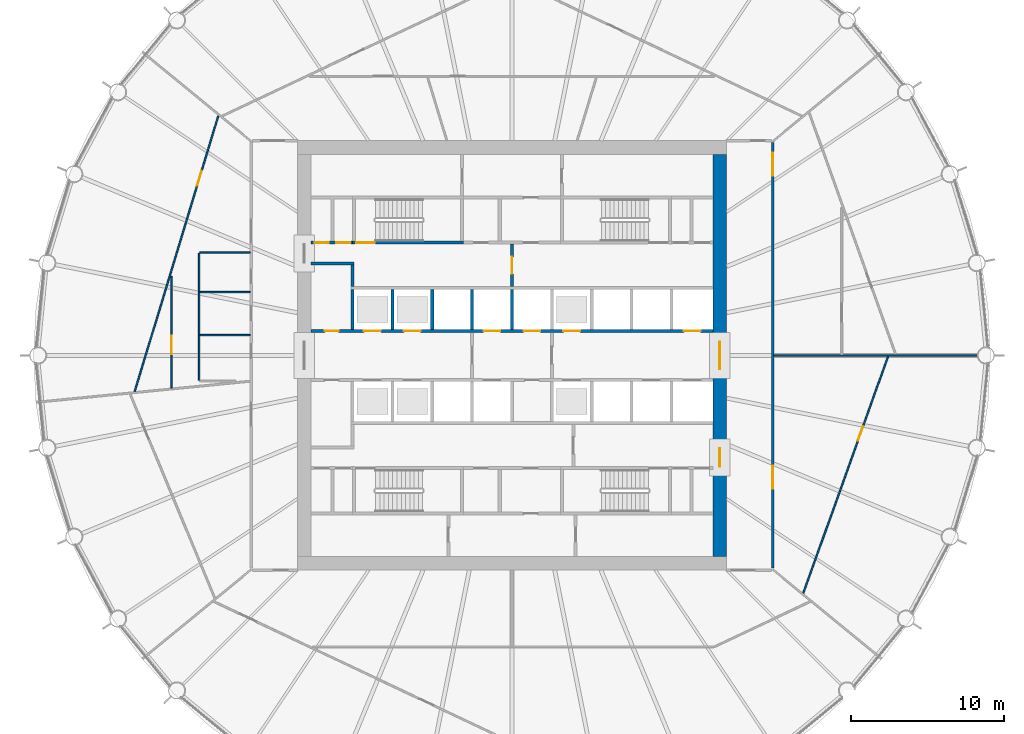
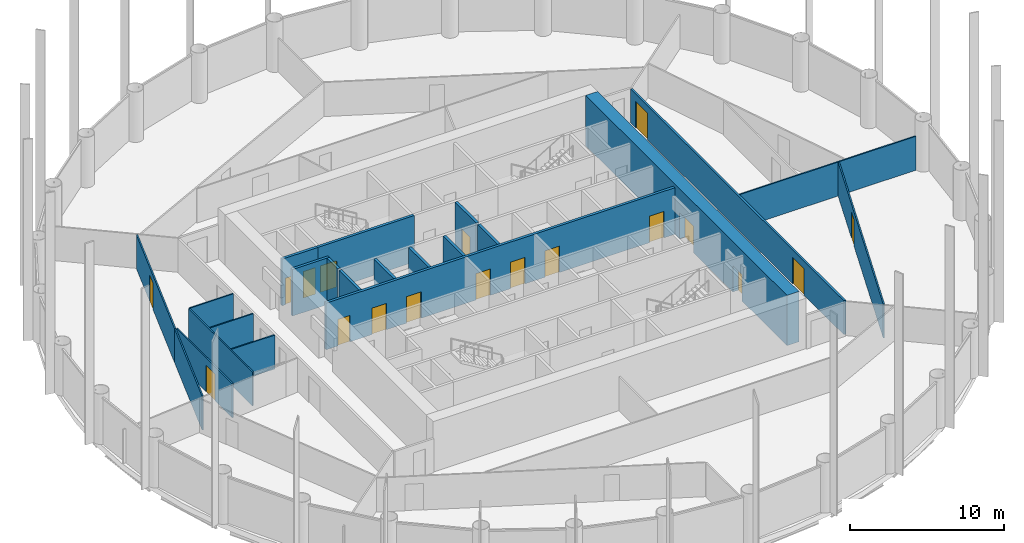
# One storey, part 6 of 10: 22 walls, 18 doors, 18 openings.
"""IFC4 building model written with IfcOpenShell, lengths in metres."""

from ifc_helpers import new_model, si_unit, direction, frame, frame_2d, origin, place, context, subcontext, project, spatial, polyline, rectangle, outline, extrude, material, layer, layer_set, type_object, element, fill, save


model = new_model("IFC4")

# Units and contexts
model_context = context("Model", 3, precision=1e-05, world=origin(), true_north=direction((0.0, 1.0)))
body_context = subcontext(model_context, "Body", "Model", "MODEL_VIEW")
ifc_project = project(units=[si_unit("LENGTHUNIT", "METRE"), si_unit("AREAUNIT", "SQUARE_METRE"), si_unit("VOLUMEUNIT", "CUBIC_METRE"), si_unit("PLANEANGLEUNIT", "RADIAN"), si_unit("MASSUNIT", "GRAM", prefix="KILO")], contexts=[model_context])

# Site, building, storey
site_placement = place(None, origin())
site = spatial("IfcSite", under=ifc_project, at=site_placement, CompositionType="ELEMENT")
building_placement = place(site_placement, origin())
building = spatial("IfcBuilding", under=site, at=building_placement, Name="Corvane Civic Tower", CompositionType="ELEMENT")
storey_placement = place(building_placement, frame((0.0, 0.0, 144.0)))
storey = spatial("IfcBuildingStorey", under=building, at=storey_placement, Name="L33", CompositionType="ELEMENT", Elevation=144.0)

# Wall, openings, doors
ifc_material_1 = material(Name="Concrete C60/75", Category="concrete")
ifc_layer_1 = layer(ifc_material_1, 0.89990234375)
ifc_layer_set_1 = layer_set([ifc_layer_1], Name="Concrete C60/75")
wall_type_1 = type_object("IfcWallType", Name="CORE WALL 900 C60/75", PredefinedType="SHEAR", material=ifc_layer_set_1)
wall_1_placement = place(storey_placement, frame((13.550048828125, -13.10009765625, 0.0), z_axis=(0.0, 0.0, 1.0), x_axis=(0.0, 1.0, 0.0)))
wall_1 = element("IfcWall", 1, at=wall_1_placement, inside=storey, type_object=wall_type_1, Name="W-L33-core-E", PredefinedType="SHEAR", context=body_context, shape_type="SweptSolid", body=[
    extrude(rectangle(XDim=26.2001953125, YDim=0.89990234375, at=frame_2d((13.10009765625, 0.0))), origin(), (0.0, 0.0, 1.0), 4.0),
])
opening_1_placement = place(wall_1_placement, frame((12.199951171875, 0.0, 0.0)))
opening_1 = element("IfcOpeningElement", 2, at=opening_1_placement, cuts=wall_1, Name="Opening L33.C31", PredefinedType="OPENING", context=body_context, shape_type="SweptSolid", body=[
    extrude(rectangle(XDim=1.800048828125, YDim=2.10009765625, at=frame_2d((0.89990234375, 1.050048828125))), frame((0.0, 0.4599609375, 0.0), z_axis=(0.0, -1.0, 0.0), x_axis=(1.0, 0.0, 0.0)), (0.0, 0.0, 1.0), 0.919921875),
])
opening_2_placement = place(wall_1_placement, frame((5.85009765625, 0.0, 0.0)))
opening_2 = element("IfcOpeningElement", 3, at=opening_2_placement, cuts=wall_1, Name="Opening L33.C33", PredefinedType="OPENING", context=body_context, shape_type="SweptSolid", body=[
    extrude(rectangle(XDim=1.199951171875, YDim=2.10009765625, at=frame_2d((0.60009765625, 1.050048828125))), frame((0.0, 0.4599609375, 0.0), z_axis=(0.0, -1.0, 0.0), x_axis=(1.0, 0.0, 0.0)), (0.0, 0.0, 1.0), 0.919921875),
])
ifc_material_2 = material(Name="Steel fire door leaf", Category="steel")
door_type_1 = type_object("IfcDoorType", Name="CR-DOOR-CORE-1800", OperationType="DOUBLE_DOOR_SINGLE_SWING", PredefinedType="DOOR", material=ifc_material_2)
door_1_placement = place(opening_1_placement, origin())
door_1 = element("IfcDoor", 4, at=door_1_placement, inside=storey, type_object=door_type_1, Name="L33 door", OperationType="DOUBLE_DOOR_SINGLE_SWING", OverallHeight=2.10009765625, OverallWidth=1.800048828125, PredefinedType="DOOR", context=body_context, shape_type="SweptSolid", body=[
    extrude(rectangle(XDim=1.800048828125, YDim=2.10009765625, at=frame_2d((0.89990234375, 1.050048828125))), frame((0.0, 0.02490234375, 0.0), z_axis=(0.0, -1.0, 0.0), x_axis=(1.0, 0.0, 0.0)), (0.0, 0.0, 1.0), 0.050048828125),
])
fill(opening_1, door_1)
door_2_placement = place(opening_2_placement, origin())
door_2 = element("IfcDoor", 5, at=door_2_placement, inside=storey, type_object=door_type_1, Name="L33 door", OperationType="DOUBLE_DOOR_SINGLE_SWING", OverallHeight=2.10009765625, OverallWidth=1.199951171875, PredefinedType="DOOR", context=body_context, shape_type="SweptSolid", body=[
    extrude(rectangle(XDim=1.199951171875, YDim=2.10009765625, at=frame_2d((0.60009765625, 1.050048828125))), frame((0.0, 0.02490234375, 0.0), z_axis=(0.0, -1.0, 0.0), x_axis=(1.0, 0.0, 0.0)), (0.0, 0.0, 1.0), 0.050048828125),
])
fill(opening_2, door_2)

ifc_material_3 = material(Name="Concrete C30/37", Category="concrete")
ifc_layer_2 = layer(ifc_material_3, 0.199951171875)
ifc_layer_set_2 = layer_set([ifc_layer_2], Name="Concrete C30/37")
wall_type_2 = type_object("IfcWallType", Name="CR-WALL-200", PredefinedType="PARTITIONING", material=ifc_layer_set_2)
wall_2_placement = place(storey_placement, frame((-13.10009765625, 1.60009765625, 0.0), z_axis=(0.0, 0.0, 1.0), x_axis=(1.0, 0.0, 0.0)))
wall_2 = element("IfcWall", 6, at=wall_2_placement, inside=storey, type_object=wall_type_2, Name="L33 lift shaft wall", PredefinedType="PARTITIONING", context=body_context, shape_type="SweptSolid", body=[
    extrude(rectangle(XDim=26.2001953125, YDim=0.199951171875, at=frame_2d((13.10009765625, 0.0))), origin(), (0.0, 0.0, 1.0), 3.699951171875),
])
opening_3_placement = place(wall_2_placement, frame((3.449951171875, 0.0, 0.0)))
opening_3 = element("IfcOpeningElement", 7, at=opening_3_placement, cuts=wall_2, Name="Opening LD", PredefinedType="OPENING", context=body_context, shape_type="SweptSolid", body=[
    extrude(rectangle(XDim=1.10009765625, YDim=2.10009765625, at=frame_2d((0.550048828125, 1.050048828125))), frame((0.0, 0.10986328125, 0.0), z_axis=(0.0, -1.0, 0.0), x_axis=(1.0, 0.0, 0.0)), (0.0, 0.0, 1.0), 0.219970703125),
])
opening_4_placement = place(wall_2_placement, frame((6.050048828125, 0.0, 0.0)))
opening_4 = element("IfcOpeningElement", 8, at=opening_4_placement, cuts=wall_2, Name="Opening LD", PredefinedType="OPENING", context=body_context, shape_type="SweptSolid", body=[
    extrude(rectangle(XDim=1.10009765625, YDim=2.10009765625, at=frame_2d((0.550048828125, 1.050048828125))), frame((0.0, 0.10986328125, 0.0), z_axis=(0.0, -1.0, 0.0), x_axis=(1.0, 0.0, 0.0)), (0.0, 0.0, 1.0), 0.219970703125),
])
opening_5_placement = place(wall_2_placement, frame((11.25, 0.0, 0.0)))
opening_5 = element("IfcOpeningElement", 9, at=opening_5_placement, cuts=wall_2, Name="Opening LD", PredefinedType="OPENING", context=body_context, shape_type="SweptSolid", body=[
    extrude(rectangle(XDim=1.10009765625, YDim=2.10009765625, at=frame_2d((0.550048828125, 1.050048828125))), frame((0.0, 0.10986328125, 0.0), z_axis=(0.0, -1.0, 0.0), x_axis=(1.0, 0.0, 0.0)), (0.0, 0.0, 1.0), 0.219970703125),
])
opening_6_placement = place(wall_2_placement, frame((13.85009765625, 0.0, 0.0)))
opening_6 = element("IfcOpeningElement", 10, at=opening_6_placement, cuts=wall_2, Name="Opening LD", PredefinedType="OPENING", context=body_context, shape_type="SweptSolid", body=[
    extrude(rectangle(XDim=1.10009765625, YDim=2.10009765625, at=frame_2d((0.550048828125, 1.050048828125))), frame((0.0, 0.10986328125, 0.0), z_axis=(0.0, -1.0, 0.0), x_axis=(1.0, 0.0, 0.0)), (0.0, 0.0, 1.0), 0.219970703125),
])
opening_7_placement = place(wall_2_placement, frame((16.449951171875, 0.0, 0.0)))
opening_7 = element("IfcOpeningElement", 11, at=opening_7_placement, cuts=wall_2, Name="Opening LD", PredefinedType="OPENING", context=body_context, shape_type="SweptSolid", body=[
    extrude(rectangle(XDim=1.10009765625, YDim=2.10009765625, at=frame_2d((0.550048828125, 1.050048828125))), frame((0.0, 0.10986328125, 0.0), z_axis=(0.0, -1.0, 0.0), x_axis=(1.0, 0.0, 0.0)), (0.0, 0.0, 1.0), 0.219970703125),
])
opening_8_placement = place(wall_2_placement, frame((24.300048828125, 0.0, 0.0)))
opening_8 = element("IfcOpeningElement", 12, at=opening_8_placement, cuts=wall_2, Name="Opening LD", PredefinedType="OPENING", context=body_context, shape_type="SweptSolid", body=[
    extrude(rectangle(XDim=1.10009765625, YDim=2.10009765625, at=frame_2d((0.550048828125, 1.050048828125))), frame((0.0, 0.10986328125, 0.0), z_axis=(0.0, -1.0, 0.0), x_axis=(1.0, 0.0, 0.0)), (0.0, 0.0, 1.0), 0.219970703125),
])
opening_9_placement = place(wall_2_placement, frame((0.89990234375, 0.0, 0.0)))
opening_9 = element("IfcOpeningElement", 13, at=opening_9_placement, cuts=wall_2, Name="Opening L33.C01", PredefinedType="OPENING", context=body_context, shape_type="SweptSolid", body=[
    extrude(rectangle(XDim=0.89990234375, YDim=2.10009765625, at=frame_2d((0.449951171875, 1.050048828125))), frame((0.0, 0.10986328125, 0.0), z_axis=(0.0, -1.0, 0.0), x_axis=(1.0, 0.0, 0.0)), (0.0, 0.0, 1.0), 0.219970703125),
])
ifc_material_4 = material(Name="Steel fire door leaf", Category="steel")
door_type_2 = type_object("IfcDoorType", Name="CR-DOOR-900", OperationType="SINGLE_SWING_LEFT", PredefinedType="DOOR", material=ifc_material_4)
door_3_placement = place(opening_9_placement, origin())
door_3 = element("IfcDoor", 14, at=door_3_placement, inside=storey, type_object=door_type_2, Name="L33 door", OperationType="SINGLE_SWING_LEFT", OverallHeight=2.10009765625, OverallWidth=0.89990234375, PredefinedType="DOOR", context=body_context, shape_type="SweptSolid", body=[
    extrude(rectangle(XDim=0.89990234375, YDim=2.10009765625, at=frame_2d((0.449951171875, 1.050048828125))), frame((0.0, 0.02490234375, 0.0), z_axis=(0.0, -1.0, 0.0), x_axis=(1.0, 0.0, 0.0)), (0.0, 0.0, 1.0), 0.050048828125),
])
fill(opening_9, door_3)
ifc_material_5 = material(Name="Stainless steel 316 door leaves", Category="steel")
door_type_3 = type_object("IfcDoorType", Name="LD", OperationType="DOUBLE_DOOR_SLIDING", PredefinedType="DOOR", material=ifc_material_5)
door_4_placement = place(opening_3_placement, origin())
door_4 = element("IfcDoor", 15, at=door_4_placement, inside=storey, type_object=door_type_3, Name="L33 landing door", OperationType="DOUBLE_DOOR_SLIDING", OverallHeight=2.10009765625, OverallWidth=1.10009765625, PredefinedType="DOOR", context=body_context, shape_type="SweptSolid", body=[
    extrude(rectangle(XDim=1.10009765625, YDim=2.10009765625, at=frame_2d((0.550048828125, 1.050048828125))), frame((0.0, 0.02490234375, 0.0), z_axis=(0.0, -1.0, 0.0), x_axis=(1.0, 0.0, 0.0)), (0.0, 0.0, 1.0), 0.050048828125),
])
fill(opening_3, door_4)
door_5_placement = place(opening_4_placement, origin())
door_5 = element("IfcDoor", 16, at=door_5_placement, inside=storey, type_object=door_type_3, Name="L33 landing door", OperationType="DOUBLE_DOOR_SLIDING", OverallHeight=2.10009765625, OverallWidth=1.10009765625, PredefinedType="DOOR", context=body_context, shape_type="SweptSolid", body=[
    extrude(rectangle(XDim=1.10009765625, YDim=2.10009765625, at=frame_2d((0.550048828125, 1.050048828125))), frame((0.0, 0.02490234375, 0.0), z_axis=(0.0, -1.0, 0.0), x_axis=(1.0, 0.0, 0.0)), (0.0, 0.0, 1.0), 0.050048828125),
])
fill(opening_4, door_5)
door_6_placement = place(opening_5_placement, origin())
door_6 = element("IfcDoor", 17, at=door_6_placement, inside=storey, type_object=door_type_3, Name="L33 landing door", OperationType="DOUBLE_DOOR_SLIDING", OverallHeight=2.10009765625, OverallWidth=1.10009765625, PredefinedType="DOOR", context=body_context, shape_type="SweptSolid", body=[
    extrude(rectangle(XDim=1.10009765625, YDim=2.10009765625, at=frame_2d((0.550048828125, 1.050048828125))), frame((0.0, 0.02490234375, 0.0), z_axis=(0.0, -1.0, 0.0), x_axis=(1.0, 0.0, 0.0)), (0.0, 0.0, 1.0), 0.050048828125),
])
fill(opening_5, door_6)
door_7_placement = place(opening_6_placement, origin())
door_7 = element("IfcDoor", 18, at=door_7_placement, inside=storey, type_object=door_type_3, Name="L33 landing door", OperationType="DOUBLE_DOOR_SLIDING", OverallHeight=2.10009765625, OverallWidth=1.10009765625, PredefinedType="DOOR", context=body_context, shape_type="SweptSolid", body=[
    extrude(rectangle(XDim=1.10009765625, YDim=2.10009765625, at=frame_2d((0.550048828125, 1.050048828125))), frame((0.0, 0.02490234375, 0.0), z_axis=(0.0, -1.0, 0.0), x_axis=(1.0, 0.0, 0.0)), (0.0, 0.0, 1.0), 0.050048828125),
])
fill(opening_6, door_7)
door_8_placement = place(opening_7_placement, origin())
door_8 = element("IfcDoor", 19, at=door_8_placement, inside=storey, type_object=door_type_3, Name="L33 landing door", OperationType="DOUBLE_DOOR_SLIDING", OverallHeight=2.10009765625, OverallWidth=1.10009765625, PredefinedType="DOOR", context=body_context, shape_type="SweptSolid", body=[
    extrude(rectangle(XDim=1.10009765625, YDim=2.10009765625, at=frame_2d((0.550048828125, 1.050048828125))), frame((0.0, 0.02490234375, 0.0), z_axis=(0.0, -1.0, 0.0), x_axis=(1.0, 0.0, 0.0)), (0.0, 0.0, 1.0), 0.050048828125),
])
fill(opening_7, door_8)
door_9_placement = place(opening_8_placement, origin())
door_9 = element("IfcDoor", 20, at=door_9_placement, inside=storey, type_object=door_type_3, Name="L33 landing door", OperationType="DOUBLE_DOOR_SLIDING", OverallHeight=2.10009765625, OverallWidth=1.10009765625, PredefinedType="DOOR", context=body_context, shape_type="SweptSolid", body=[
    extrude(rectangle(XDim=1.10009765625, YDim=2.10009765625, at=frame_2d((0.550048828125, 1.050048828125))), frame((0.0, 0.02490234375, 0.0), z_axis=(0.0, -1.0, 0.0), x_axis=(1.0, 0.0, 0.0)), (0.0, 0.0, 1.0), 0.050048828125),
])
fill(opening_8, door_9)

wall_3_placement = place(storey_placement, frame((-13.10009765625, 7.35009765625, 0.0), z_axis=(0.0, 0.0, 1.0), x_axis=(1.0, 0.0, 0.0)))
wall_3 = element("IfcWall", 21, at=wall_3_placement, inside=storey, type_object=wall_type_2, Name="L33 core partition wall", PredefinedType="PARTITIONING", context=body_context, shape_type="SweptSolid", body=[
    extrude(rectangle(XDim=2.7001953125, YDim=0.199951171875, at=frame_2d((1.35009765625, 0.0))), origin(), (0.0, 0.0, 1.0), 3.699951171875),
])
opening_10_placement = place(wall_3_placement, frame((0.25, 0.0, 0.0)))
opening_10 = element("IfcOpeningElement", 22, at=opening_10_placement, cuts=wall_3, Name="Opening L33.C14", PredefinedType="OPENING", context=body_context, shape_type="SweptSolid", body=[
    extrude(rectangle(XDim=0.89990234375, YDim=2.10009765625, at=frame_2d((0.449951171875, 1.050048828125))), frame((0.0, 0.10986328125, 0.0), z_axis=(0.0, -1.0, 0.0), x_axis=(1.0, 0.0, 0.0)), (0.0, 0.0, 1.0), 0.219970703125),
])
opening_11_placement = place(wall_3_placement, frame((1.64990234375, 0.0, 0.0)))
opening_11 = element("IfcOpeningElement", 23, at=opening_11_placement, cuts=wall_3, Name="Opening L33.C15", PredefinedType="OPENING", context=body_context, shape_type="SweptSolid", body=[
    extrude(rectangle(XDim=0.89990234375, YDim=2.10009765625, at=frame_2d((0.449951171875, 1.050048828125))), frame((0.0, 0.10986328125, 0.0), z_axis=(0.0, -1.0, 0.0), x_axis=(1.0, 0.0, 0.0)), (0.0, 0.0, 1.0), 0.219970703125),
])
door_10_placement = place(opening_10_placement, origin())
door_10 = element("IfcDoor", 24, at=door_10_placement, inside=storey, type_object=door_type_2, Name="L33 door", OperationType="SINGLE_SWING_LEFT", OverallHeight=2.10009765625, OverallWidth=0.89990234375, PredefinedType="DOOR", context=body_context, shape_type="SweptSolid", body=[
    extrude(rectangle(XDim=0.89990234375, YDim=2.10009765625, at=frame_2d((0.449951171875, 1.050048828125))), frame((0.0, 0.02490234375, 0.0), z_axis=(0.0, -1.0, 0.0), x_axis=(1.0, 0.0, 0.0)), (0.0, 0.0, 1.0), 0.050048828125),
])
fill(opening_10, door_10)
door_11_placement = place(opening_11_placement, origin())
door_11 = element("IfcDoor", 25, at=door_11_placement, inside=storey, type_object=door_type_2, Name="L33 door", OperationType="SINGLE_SWING_LEFT", OverallHeight=2.10009765625, OverallWidth=0.89990234375, PredefinedType="DOOR", context=body_context, shape_type="SweptSolid", body=[
    extrude(rectangle(XDim=0.89990234375, YDim=2.10009765625, at=frame_2d((0.449951171875, 1.050048828125))), frame((0.0, 0.02490234375, 0.0), z_axis=(0.0, -1.0, 0.0), x_axis=(1.0, 0.0, 0.0)), (0.0, 0.0, 1.0), 0.050048828125),
])
fill(opening_11, door_11)

# Wall, opening, door
wall_4_placement = place(storey_placement, frame((0.0, 4.5, 0.0), z_axis=(0.0, 0.0, 1.0), x_axis=(0.0, 1.0, 0.0)))
wall_4 = element("IfcWall", 26, at=wall_4_placement, inside=storey, type_object=wall_type_2, Name="L33 core partition wall", PredefinedType="PARTITIONING", context=body_context, shape_type="SweptSolid", body=[
    extrude(rectangle(XDim=2.75, YDim=0.199951171875, at=frame_2d((1.375, 0.0))), origin(), (0.0, 0.0, 1.0), 3.699951171875),
])
opening_12_placement = place(wall_4_placement, frame((0.824951171875, 0.0, 0.0)))
opening_12 = element("IfcOpeningElement", 27, at=opening_12_placement, cuts=wall_4, Name="Opening L33.C28", PredefinedType="OPENING", context=body_context, shape_type="SweptSolid", body=[
    extrude(rectangle(XDim=1.10009765625, YDim=2.10009765625, at=frame_2d((0.550048828125, 1.050048828125))), frame((0.0, 0.10986328125, 0.0), z_axis=(0.0, -1.0, 0.0), x_axis=(1.0, 0.0, 0.0)), (0.0, 0.0, 1.0), 0.219970703125),
])
ifc_material_6 = material(Name="Steel fire door leaf", Category="steel")
door_type_4 = type_object("IfcDoorType", Name="CR-DOOR-FFL-1100", OperationType="SINGLE_SWING_LEFT", PredefinedType="DOOR", material=ifc_material_6)
door_12_placement = place(opening_12_placement, origin())
door_12 = element("IfcDoor", 28, at=door_12_placement, inside=storey, type_object=door_type_4, Name="L33 lobby door", OperationType="SINGLE_SWING_LEFT", OverallHeight=2.10009765625, OverallWidth=1.10009765625, PredefinedType="DOOR", context=body_context, shape_type="SweptSolid", body=[
    extrude(rectangle(XDim=1.10009765625, YDim=2.10009765625, at=frame_2d((0.550048828125, 1.050048828125))), frame((0.0, 0.02490234375, 0.0), z_axis=(0.0, -1.0, 0.0), x_axis=(1.0, 0.0, 0.0)), (0.0, 0.0, 1.0), 0.050048828125),
])
fill(opening_12, door_12)

# Walls
wall_5_placement = place(storey_placement, origin())
element("IfcWall", 29, at=wall_5_placement, inside=storey, type_object=wall_type_2, Name="L33 core partition wall", PredefinedType="PARTITIONING", context=body_context, shape_type="SweptSolid", body=[
    extrude(outline(polyline([(-10.300048828125, 5.89990234375), (-13.10009765625, 5.89990234375), (-13.10009765625, 6.10009765625), (-10.300048828125, 6.10009765625), (-10.300048828125, 5.89990234375)])), origin(), (0.0, 0.0, 1.0), 3.699951171875),
])
wall_6_placement = place(storey_placement, origin())
element("IfcWall", 30, at=wall_6_placement, inside=storey, type_object=wall_type_2, Name="L33 core partition wall", PredefinedType="PARTITIONING", context=body_context, shape_type="SweptSolid", body=[
    extrude(outline(polyline([(-2.5, 1.699951171875), (-2.699951171875, 1.699951171875), (-2.699951171875, 4.2998046875), (-2.5, 4.2998046875), (-2.5, 1.699951171875)])), origin(), (0.0, 0.0, 1.0), 3.699951171875),
])
wall_7_placement = place(storey_placement, origin())
element("IfcWall", 31, at=wall_7_placement, inside=storey, type_object=wall_type_2, Name="L33 core partition wall", PredefinedType="PARTITIONING", context=body_context, shape_type="SweptSolid", body=[
    extrude(outline(polyline([(0.10009765625, 1.699951171875), (-0.10009765625, 1.699951171875), (-0.10009765625, 4.2998046875), (0.10009765625, 4.2998046875), (0.10009765625, 1.699951171875)])), origin(), (0.0, 0.0, 1.0), 3.699951171875),
])
wall_8_placement = place(storey_placement, origin())
element("IfcWall", 32, at=wall_8_placement, inside=storey, type_object=wall_type_2, Name="L33 core partition wall", PredefinedType="PARTITIONING", context=body_context, shape_type="SweptSolid", body=[
    extrude(outline(polyline([(-10.300048828125, 1.699951171875), (-10.5, 1.699951171875), (-10.5, 4.2998046875), (-10.300048828125, 4.2998046875), (-10.300048828125, 1.699951171875)])), origin(), (0.0, 0.0, 1.0), 3.699951171875),
])
wall_9_placement = place(storey_placement, origin())
element("IfcWall", 33, at=wall_9_placement, inside=storey, type_object=wall_type_2, Name="L33 core partition wall", PredefinedType="PARTITIONING", context=body_context, shape_type="SweptSolid", body=[
    extrude(outline(polyline([(-7.699951171875, 1.699951171875), (-7.89990234375, 1.699951171875), (-7.89990234375, 4.2998046875), (-7.699951171875, 4.2998046875), (-7.699951171875, 1.699951171875)])), origin(), (0.0, 0.0, 1.0), 3.699951171875),
])
wall_10_placement = place(storey_placement, origin())
element("IfcWall", 34, at=wall_10_placement, inside=storey, type_object=wall_type_2, Name="L33 core partition wall", PredefinedType="PARTITIONING", context=body_context, shape_type="SweptSolid", body=[
    extrude(outline(polyline([(-5.10009765625, 1.699951171875), (-5.300048828125, 1.699951171875), (-5.300048828125, 4.2998046875), (-5.10009765625, 4.2998046875), (-5.10009765625, 1.699951171875)])), origin(), (0.0, 0.0, 1.0), 3.699951171875),
])
wall_11_placement = place(storey_placement, origin())
element("IfcWall", 35, at=wall_11_placement, inside=storey, type_object=wall_type_2, Name="L33 core partition wall", PredefinedType="PARTITIONING", context=body_context, shape_type="SweptSolid", body=[
    extrude(outline(polyline([(-10.300048828125, 4.5), (-10.5, 4.5), (-10.5, 5.89990234375), (-10.300048828125, 5.89990234375), (-10.300048828125, 4.5)])), origin(), (0.0, 0.0, 1.0), 3.699951171875),
])

# Wall, opening, door
ifc_material_7 = material(Name="Plasterboard")
ifc_layer_3 = layer(ifc_material_7, 0.10009765625)
ifc_layer_set_3 = layer_set([ifc_layer_3], Name="Plasterboard")
wall_type_3 = type_object("IfcWallType", Name="Partition 100 plasterboard on studs", PredefinedType="PARTITIONING", material=ifc_layer_set_3)
wall_12_placement = place(storey_placement, frame((18.995361328125, -15.502685546875, 0.0), z_axis=(0.0, 0.0, 1.0), x_axis=(0.336886332068, 0.941545325126, 0.0)))
wall_12 = element("IfcWall", 36, at=wall_12_placement, inside=storey, type_object=wall_type_3, Name="Partition L33.009", PredefinedType="PARTITIONING", context=body_context, shape_type="SweptSolid", body=[
    extrude(rectangle(XDim=16.39404296875, YDim=0.10009765625, at=frame_2d((8.197021484375, 0.0))), origin(), (0.0, 0.0, 1.0), 2.699951171875),
])
opening_13_placement = place(wall_12_placement, frame((10.5498046875, 0.0, 0.0)))
opening_13 = element("IfcOpeningElement", 37, at=opening_13_placement, cuts=wall_12, Name="Opening L33.014", PredefinedType="OPENING", context=body_context, shape_type="SweptSolid", body=[
    extrude(rectangle(XDim=1.0, YDim=2.10009765625, at=frame_2d((0.5, 1.050048828125))), frame((0.0, 0.06005859375, 0.0), z_axis=(0.0, -1.0, 0.0), x_axis=(1.0, 0.0, 0.0)), (0.0, 0.0, 1.0), 0.1201171875),
])
ifc_material_8 = material(Name="Timber", Category="wood")
door_type_5 = type_object("IfcDoorType", Name="Single door 1000", OperationType="NOTDEFINED", PredefinedType="DOOR", material=ifc_material_8)
door_13_placement = place(opening_13_placement, frame((1.0, 0.0, 0.0), z_axis=(0.0, 0.0, 1.0), x_axis=(-1.0, 0.0, 0.0)))
door_13 = element("IfcDoor", 38, at=door_13_placement, inside=storey, type_object=door_type_5, Name="Door L33.014", OperationType="SINGLE_SWING_LEFT", OverallHeight=2.10009765625, OverallWidth=1.0, PredefinedType="DOOR", context=body_context, shape_type="SweptSolid", body=[
    extrude(rectangle(XDim=1.0, YDim=2.10009765625, at=frame_2d((0.5, 1.050048828125))), frame((0.0, 0.02490234375, 0.0), z_axis=(0.0, -1.0, 0.0), x_axis=(1.0, 0.0, 0.0)), (0.0, 0.0, 1.0), 0.050048828125),
])
fill(opening_13, door_13)

# Wall
wall_13_placement = place(storey_placement, frame((-24.601806640625, -2.353515625, 0.0), z_axis=(0.0, 0.0, 1.0), x_axis=(0.290313775008, 0.956931508542, 0.0)))
element("IfcWall", 39, at=wall_13_placement, inside=storey, type_object=wall_type_3, Name="Partition L33.015", PredefinedType="PARTITIONING", context=body_context, shape_type="SweptSolid", body=[
    extrude(rectangle(XDim=7.873046875, YDim=0.10009765625, at=frame_2d((3.9365234375, 0.0))), origin(), (0.0, 0.0, 1.0), 2.699951171875),
])

# Wall, opening, door
wall_14_placement = place(storey_placement, frame((-22.199951171875, -2.13134765625, 0.0), z_axis=(0.0, 0.0, 1.0), x_axis=(0.0, 1.0, 0.0)))
wall_14 = element("IfcWall", 40, at=wall_14_placement, inside=storey, type_object=wall_type_3, Name="Partition L33.016", PredefinedType="PARTITIONING", context=body_context, shape_type="SweptSolid", body=[
    extrude(rectangle(XDim=7.28466796875, YDim=0.10009765625, at=frame_2d((3.642333984375, 0.0))), origin(), (0.0, 0.0, 1.0), 2.699951171875),
])
opening_14_placement = place(wall_14_placement, frame((2.222900390625, 0.0, 0.0)))
opening_14 = element("IfcOpeningElement", 41, at=opening_14_placement, cuts=wall_14, Name="Opening L33.019", PredefinedType="OPENING", context=body_context, shape_type="SweptSolid", body=[
    extrude(rectangle(XDim=1.199951171875, YDim=2.10009765625, at=frame_2d((0.60009765625, 1.050048828125))), frame((0.0, 0.06005859375, 0.0), z_axis=(0.0, -1.0, 0.0), x_axis=(1.0, 0.0, 0.0)), (0.0, 0.0, 1.0), 0.1201171875),
])
ifc_material_9 = material(Name="Timber", Category="wood")
door_type_6 = type_object("IfcDoorType", Name="Double door 1200", OperationType="NOTDEFINED", PredefinedType="DOOR", material=ifc_material_9)
door_14_placement = place(opening_14_placement, origin())
door_14 = element("IfcDoor", 42, at=door_14_placement, inside=storey, type_object=door_type_6, Name="Door L33.019", OperationType="DOUBLE_DOOR_SINGLE_SWING", OverallHeight=2.10009765625, OverallWidth=1.199951171875, PredefinedType="DOOR", context=body_context, shape_type="SweptSolid", body=[
    extrude(rectangle(XDim=1.199951171875, YDim=2.10009765625, at=frame_2d((0.60009765625, 1.050048828125))), frame((0.0, 0.02490234375, 0.0), z_axis=(0.0, -1.0, 0.0), x_axis=(1.0, 0.0, 0.0)), (0.0, 0.0, 1.0), 0.050048828125),
])
fill(opening_14, door_14)

# Walls
wall_15_placement = place(storey_placement, frame((-20.39990234375, -1.62451171875, 0.0), z_axis=(0.0, 0.0, 1.0), x_axis=(0.0, 1.0, 0.0)))
element("IfcWall", 43, at=wall_15_placement, inside=storey, type_object=wall_type_3, Name="Partition L33.018", PredefinedType="PARTITIONING", context=body_context, shape_type="SweptSolid", body=[
    extrude(rectangle(XDim=8.300048828125, YDim=0.10009765625, at=frame_2d((4.14990234375, 0.0))), origin(), (0.0, 0.0, 1.0), 2.699951171875),
])
wall_16_placement = place(storey_placement, frame((17.074951171875, 0.0, 0.0), z_axis=(0.0, 0.0, 1.0), x_axis=(1.0, 0.0, 0.0)))
element("IfcWall", 44, at=wall_16_placement, inside=storey, type_object=wall_type_3, Name="Partition L33.019", PredefinedType="PARTITIONING", context=body_context, shape_type="SweptSolid", body=[
    extrude(rectangle(XDim=13.264892578125, YDim=0.10009765625, at=frame_2d((6.63232421875, 0.0))), origin(), (0.0, 0.0, 1.0), 2.699951171875),
])
for number, where, z_axis, x_axis, name in (
    (45, (-20.35009765625, 1.32568359375, 0.0), (0.0, 0.0, 1.0), (1.0, 0.0, 0.0), "Partition L33.022"),
    (46, (-20.35009765625, 4.12548828125, 0.0), (0.0, 0.0, 1.0), (1.0, 0.0, 0.0), "Partition L33.023"),
):
    element("IfcWall", number, at=place(storey_placement, frame(where, z_axis=z_axis, x_axis=x_axis)), inside=storey, type_object=wall_type_3, Name=name, PredefinedType="PARTITIONING", context=body_context, shape_type="SweptSolid", body=[
        extrude(rectangle(XDim=3.275146484375, YDim=0.10009765625, at=frame_2d((1.6376953125, 0.0))), origin(), (0.0, 0.0, 1.0), 2.699951171875),
    ])

# Wall, opening, door
wall_17_placement = place(storey_placement, frame((-22.316162109375, 5.180419921875, 0.0), z_axis=(0.0, 0.0, 1.0), x_axis=(0.290281171938, 0.956941399051, 0.0)))
wall_17 = element("IfcWall", 47, at=wall_17_placement, inside=storey, type_object=wall_type_3, Name="Partition L33.024", PredefinedType="PARTITIONING", context=body_context, shape_type="SweptSolid", body=[
    extrude(rectangle(XDim=10.914306640625, YDim=0.10009765625, at=frame_2d((5.45703125, 0.0))), origin(), (0.0, 0.0, 1.0), 2.699951171875),
])
opening_15_placement = place(wall_17_placement, frame((6.156494140625, 0.0, 0.0)))
opening_15 = element("IfcOpeningElement", 48, at=opening_15_placement, cuts=wall_17, Name="Opening L33.018", PredefinedType="OPENING", context=body_context, shape_type="SweptSolid", body=[
    extrude(rectangle(XDim=1.0, YDim=2.10009765625, at=frame_2d((0.5, 1.050048828125))), frame((0.0, 0.06005859375, 0.0), z_axis=(0.0, -1.0, 0.0), x_axis=(1.0, 0.0, 0.0)), (0.0, 0.0, 1.0), 0.1201171875),
])
door_15_placement = place(opening_15_placement, origin())
door_15 = element("IfcDoor", 49, at=door_15_placement, inside=storey, type_object=door_type_5, Name="Door L33.018", OperationType="SINGLE_SWING_LEFT", OverallHeight=2.10009765625, OverallWidth=1.0, PredefinedType="DOOR", context=body_context, shape_type="SweptSolid", body=[
    extrude(rectangle(XDim=1.0, YDim=2.10009765625, at=frame_2d((0.5, 1.050048828125))), frame((0.0, 0.02490234375, 0.0), z_axis=(0.0, -1.0, 0.0), x_axis=(1.0, 0.0, 0.0)), (0.0, 0.0, 1.0), 0.050048828125),
])
fill(opening_15, door_15)

# Wall
wall_18_placement = place(storey_placement, frame((-20.35009765625, 6.7255859375, 0.0), z_axis=(0.0, 0.0, 1.0), x_axis=(1.0, 0.0, 0.0)))
element("IfcWall", 50, at=wall_18_placement, inside=storey, type_object=wall_type_3, Name="Partition L33.025", PredefinedType="PARTITIONING", context=body_context, shape_type="SweptSolid", body=[
    extrude(rectangle(XDim=3.275146484375, YDim=0.10009765625, at=frame_2d((1.6376953125, 0.0))), origin(), (0.0, 0.0, 1.0), 2.699951171875),
])

# Wall, opening, door
ifc_material_10 = material(Name="Concrete C50/60", Category="concrete")
ifc_layer_4 = layer(ifc_material_10, 0.199951171875)
ifc_layer_set_4 = layer_set([ifc_layer_4], Name="Concrete C50/60")
wall_type_4 = type_object("IfcWallType", Name="ST-WALL-200", PredefinedType="SHEAR", material=ifc_layer_set_4)
wall_19_placement = place(storey_placement, frame((-10.39990234375, 7.35009765625, 0.0), z_axis=(0.0, 0.0, 1.0), x_axis=(1.0, 0.0, 0.0)))
wall_19 = element("IfcWall", 51, at=wall_19_placement, inside=storey, type_object=wall_type_4, Name="L33 stair enclosure wall", PredefinedType="SHEAR", context=body_context, shape_type="SweptSolid", body=[
    extrude(rectangle(XDim=7.25, YDim=0.199951171875, at=frame_2d((3.625, 0.0))), origin(), (0.0, 0.0, 1.0), 3.699951171875),
])
opening_16_placement = place(wall_19_placement, frame((0.25, 0.0, 0.0)))
opening_16 = element("IfcOpeningElement", 52, at=opening_16_placement, cuts=wall_19, Name="Opening L33.C23", PredefinedType="OPENING", context=body_context, shape_type="SweptSolid", body=[
    extrude(rectangle(XDim=1.199951171875, YDim=2.10009765625, at=frame_2d((0.60009765625, 1.050048828125))), frame((0.0, 0.10986328125, 0.0), z_axis=(0.0, -1.0, 0.0), x_axis=(1.0, 0.0, 0.0)), (0.0, 0.0, 1.0), 0.219970703125),
])
ifc_material_11 = material(Name="Steel fire door leaf", Category="steel")
door_type_7 = type_object("IfcDoorType", Name="ST-DOOR-1200", OperationType="SINGLE_SWING_RIGHT", PredefinedType="DOOR", material=ifc_material_11)
door_16_placement = place(opening_16_placement, origin())
door_16 = element("IfcDoor", 53, at=door_16_placement, inside=storey, type_object=door_type_7, Name="L33 stair door", OperationType="SINGLE_SWING_RIGHT", OverallHeight=2.10009765625, OverallWidth=1.199951171875, PredefinedType="DOOR", context=body_context, shape_type="SweptSolid", body=[
    extrude(rectangle(XDim=1.199951171875, YDim=2.10009765625, at=frame_2d((0.60009765625, 1.050048828125))), frame((0.0, 0.02490234375, 0.0), z_axis=(0.0, -1.0, 0.0), x_axis=(1.0, 0.0, 0.0)), (0.0, 0.0, 1.0), 0.050048828125),
])
fill(opening_16, door_16)

# Wall, openings, doors
ifc_material_12 = material(Name="Plasterboard")
ifc_layer_5 = layer(ifc_material_12, 0.14990234375)
ifc_layer_set_5 = layer_set([ifc_layer_5], Name="Plasterboard")
wall_type_5 = type_object("IfcWallType", Name="Tenancy wall 150 EI 60", PredefinedType="PARTITIONING", material=ifc_layer_set_5)
wall_20_placement = place(storey_placement, frame((17.0, -13.87646484375, 0.0), z_axis=(0.0, 0.0, 1.0), x_axis=(0.0, 1.0, 0.0)))
wall_20 = element("IfcWall", 54, at=wall_20_placement, inside=storey, type_object=wall_type_5, Name="Partition L33.013", PredefinedType="PARTITIONING", context=body_context, shape_type="SweptSolid", body=[
    extrude(rectangle(XDim=27.7529296875, YDim=0.14990234375, at=frame_2d((13.87646484375, 0.0))), origin(), (0.0, 0.0, 1.0), 2.699951171875),
])
opening_17_placement = place(wall_20_placement, frame((25.589599609375, 0.0, 0.0)))
opening_17 = element("IfcOpeningElement", 55, at=opening_17_placement, cuts=wall_20, Name="Opening L33.013", PredefinedType="OPENING", context=body_context, shape_type="SweptSolid", body=[
    extrude(rectangle(XDim=1.5, YDim=2.10009765625, at=frame_2d((0.75, 1.050048828125))), frame((0.0, 0.0849609375, 0.0), z_axis=(0.0, -1.0, 0.0), x_axis=(1.0, 0.0, 0.0)), (0.0, 0.0, 1.0), 0.169921875),
])
opening_18_placement = place(wall_20_placement, frame((5.17529296875, 0.0, 0.0)))
opening_18 = element("IfcOpeningElement", 56, at=opening_18_placement, cuts=wall_20, Name="Opening L33.015", PredefinedType="OPENING", context=body_context, shape_type="SweptSolid", body=[
    extrude(rectangle(XDim=1.5, YDim=2.10009765625, at=frame_2d((0.75, 1.050048828125))), frame((0.0, 0.0849609375, 0.0), z_axis=(0.0, -1.0, 0.0), x_axis=(1.0, 0.0, 0.0)), (0.0, 0.0, 1.0), 0.169921875),
])
ifc_material_13 = material(Name="Steel and timber", Category="steel")
door_type_8 = type_object("IfcDoorType", Name="Fire door FD60 double 1500", OperationType="NOTDEFINED", PredefinedType="DOOR", material=ifc_material_13)
door_17_placement = place(opening_17_placement, frame((1.5, 0.0, 0.0), z_axis=(0.0, 0.0, 1.0), x_axis=(-1.0, 0.0, 0.0)))
door_17 = element("IfcDoor", 57, at=door_17_placement, inside=storey, type_object=door_type_8, Name="Door L33.013", OperationType="DOUBLE_DOOR_SINGLE_SWING", OverallHeight=2.10009765625, OverallWidth=1.5, PredefinedType="DOOR", context=body_context, shape_type="SweptSolid", body=[
    extrude(rectangle(XDim=1.5, YDim=2.10009765625, at=frame_2d((0.75, 1.050048828125))), frame((0.0, 0.02490234375, 0.0), z_axis=(0.0, -1.0, 0.0), x_axis=(1.0, 0.0, 0.0)), (0.0, 0.0, 1.0), 0.050048828125),
])
fill(opening_17, door_17)
door_18_placement = place(opening_18_placement, frame((1.5, 0.0, 0.0), z_axis=(0.0, 0.0, 1.0), x_axis=(-1.0, 0.0, 0.0)))
door_18 = element("IfcDoor", 58, at=door_18_placement, inside=storey, type_object=door_type_8, Name="Door L33.015", OperationType="DOUBLE_DOOR_SINGLE_SWING", OverallHeight=2.10009765625, OverallWidth=1.5, PredefinedType="DOOR", context=body_context, shape_type="SweptSolid", body=[
    extrude(rectangle(XDim=1.5, YDim=2.10009765625, at=frame_2d((0.75, 1.050048828125))), frame((0.0, 0.02490234375, 0.0), z_axis=(0.0, -1.0, 0.0), x_axis=(1.0, 0.0, 0.0)), (0.0, 0.0, 1.0), 0.050048828125),
])
fill(opening_18, door_18)

save(model, "model.ifc")
